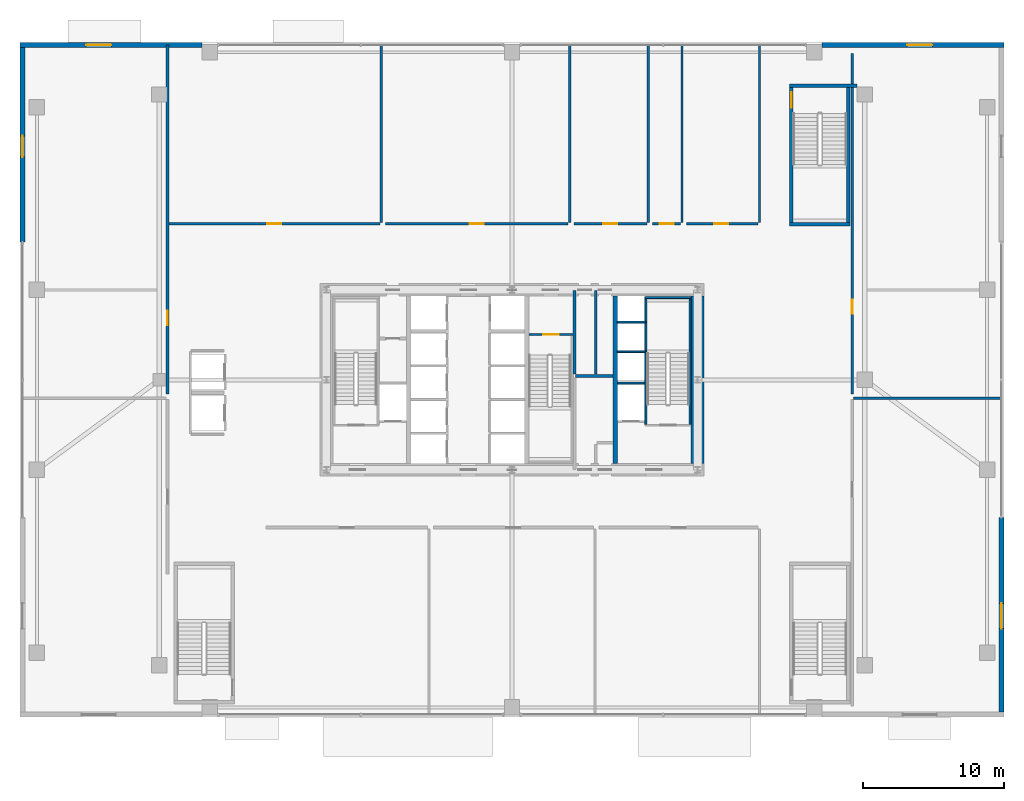
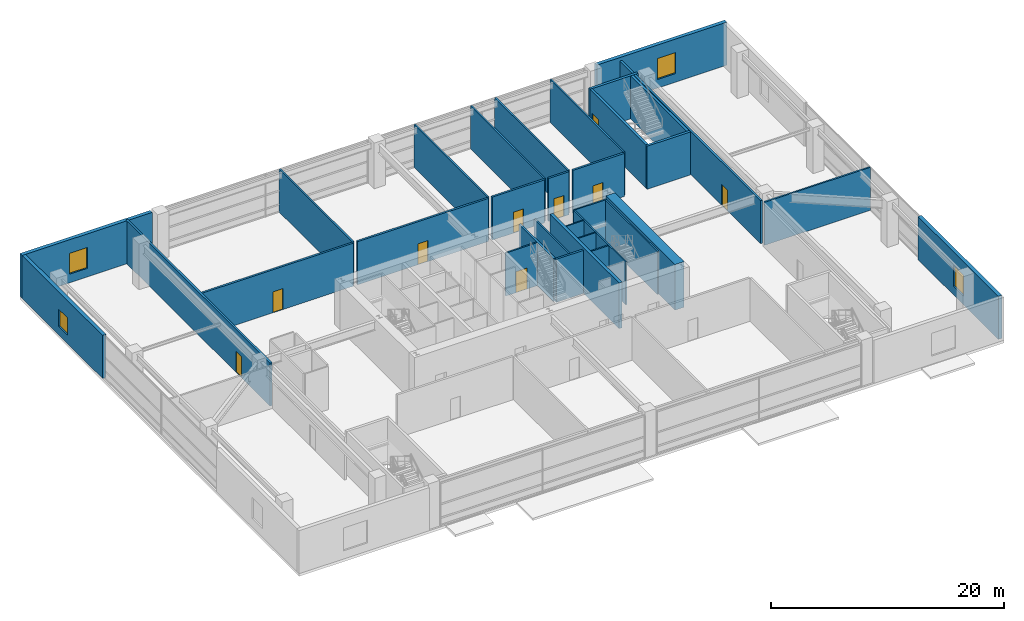
# One storey, part 33 of 37: 33 walls, 9 doors, 4 windows, 13 openings.
"""IFC4 building model written with IfcOpenShell, lengths in metres."""

from ifc_helpers import new_model, si_unit, direction, frame, frame_2d, origin, place, context, subcontext, project, spatial, rectangle, extrude, source, transform, mapped, material, layer, layer_set, type_object, element, fill, save


model = new_model("IFC4")

# Units and contexts
model_context = context("Model", 3, precision=1e-05, world=origin(), true_north=direction((0.0, 1.0)))
body_context = subcontext(model_context, "Body", "Model", "MODEL_VIEW")
ifc_project = project(units=[si_unit("LENGTHUNIT", "METRE"), si_unit("AREAUNIT", "SQUARE_METRE"), si_unit("VOLUMEUNIT", "CUBIC_METRE"), si_unit("PLANEANGLEUNIT", "RADIAN"), si_unit("MASSUNIT", "GRAM", prefix="KILO"), si_unit("THERMODYNAMICTEMPERATUREUNIT", "KELVIN"), si_unit("POWERUNIT", "WATT")], contexts=[model_context])

# Site, building, storey
site_placement = place(None, origin())
site = spatial("IfcSite", under=ifc_project, at=site_placement, CompositionType="ELEMENT")
building_placement = place(site_placement, origin())
building = spatial("IfcBuilding", under=site, at=building_placement, Name="Yuzanri Waterfront Tower", CompositionType="ELEMENT")
storey_placement = place(building_placement, frame((0.0, 0.0, 5.39990234375)))
storey = spatial("IfcBuildingStorey", under=building, at=storey_placement, Name="L02", CompositionType="ELEMENT", Elevation=5.39990234375)

# Wall, opening, door
ifc_material_1 = material(Name="Concrete C40", Category="concrete")
ifc_layer_1 = layer(ifc_material_1, 0.139892578125)
ifc_layer_set_1 = layer_set([ifc_layer_1], Name="Concrete C40")
wall_type_1 = type_object("IfcWallType", Name="Core Stair Liner and Hoistway Shaft Wall 140", PredefinedType="SOLIDWALL", material=ifc_layer_set_1)
wall_1_placement = place(storey_placement, frame((38.199951171875, 29.030029296875, 0.0), z_axis=(0.0, 0.0, 1.0), x_axis=(1.0, 0.0, 0.0)))
wall_1 = element("IfcWall", 1, at=wall_1_placement, inside=storey, type_object=wall_type_1, Name="L02 Shaft Wall STW-L02-ST-03-N", PredefinedType="SOLIDWALL", context=body_context, shape_type="SweptSolid", body=[
    extrude(rectangle(XDim=3.14013671875, YDim=0.139892578125, at=frame_2d((1.570068359375, 0.0))), origin(), (0.0, 0.0, 1.0), 4.52001953125),
])
opening_1_placement = place(wall_1_placement, frame((1.02001953125, 0.0, 0.0)))
opening_1 = element("IfcOpeningElement", 2, at=opening_1_placement, cuts=wall_1, Name="Opening FD-1100", PredefinedType="OPENING", context=body_context, shape_type="SweptSolid", body=[
    extrude(rectangle(XDim=1.10009765625, YDim=2.199951171875, at=frame_2d((0.550048828125, 1.10009765625))), frame((0.0, 0.0849609375, 0.0), z_axis=(0.0, -1.0, 0.0), x_axis=(1.0, 0.0, 0.0)), (0.0, 0.0, 1.0), 0.169677734375),
])
ifc_material_2 = material(Name="Painted Galvanized Fire Steel", Category="steel")
door_type_1 = type_object("IfcDoorType", Name="Smoke-Proof Stair and Lobby Fire Door 1100x2200", OperationType="NOTDEFINED", PredefinedType="DOOR", material=ifc_material_2)
shared_shape_1 = source(origin(), body_context, "Body", "SweptSolid", [
    extrude(rectangle(XDim=1.10009765625, YDim=2.199951171875, at=frame_2d((0.550048828125, 1.10009765625))), frame((0.0, 0.02490234375, 0.0), z_axis=(0.0, -1.0, 0.0), x_axis=(1.0, 0.0, 0.0)), (0.0, 0.0, 1.0), 0.050048828125),
])
door_1_placement = place(opening_1_placement, origin())
door_1 = element("IfcDoor", 3, at=door_1_placement, inside=storey, type_object=door_type_1, Name="L02 Stair ST-03 Fire Door", OperationType="SINGLE_SWING_LEFT", OverallHeight=2.199951171875, OverallWidth=1.10009765625, PredefinedType="DOOR", context=body_context, shape_type="MappedRepresentation", body=[
    mapped(shared_shape_1, transform((0.0, 0.0, 0.0), scale=1.0)),
])
fill(opening_1, door_1)

ifc_material_3 = material(Name="Autoclaved Aerated Concrete Blockwork", Category="masonry")
ifc_layer_2 = layer(ifc_material_3, 0.199951171875)
ifc_layer_set_2 = layer_set([ifc_layer_2], Name="Autoclaved Aerated Concrete Blockwork")
wall_type_2 = type_object("IfcWallType", Name="Corridor and Unit Party Fire Wall 200", PredefinedType="PARTITIONING", material=ifc_layer_set_2)
wall_2_placement = place(storey_placement, frame((12.5, 24.800048828125, 0.0), z_axis=(0.0, 0.0, 1.0), x_axis=(0.0, 1.0, 0.0)))
wall_2 = element("IfcWall", 4, at=wall_2_placement, inside=storey, type_object=wall_type_2, Name="L02 Partition PRW-L02-028-E", PredefinedType="PARTITIONING", context=body_context, shape_type="SweptSolid", body=[
    extrude(rectangle(XDim=24.820068359375, YDim=0.199951171875, at=frame_2d((12.41015625, 0.0))), origin(), (0.0, 0.0, 1.0), 4.52001953125),
])
opening_2_placement = place(wall_2_placement, frame((4.89990234375, 0.0, 0.0)))
opening_2 = element("IfcOpeningElement", 5, at=opening_2_placement, cuts=wall_2, Name="Opening FD-1000", PredefinedType="OPENING", context=body_context, shape_type="SweptSolid", body=[
    extrude(rectangle(XDim=1.0, YDim=2.199951171875, at=frame_2d((0.5, 1.10009765625))), frame((0.0, 0.11474609375, 0.0), z_axis=(0.0, -1.0, 0.0), x_axis=(1.0, 0.0, 0.0)), (0.0, 0.0, 1.0), 0.229736328125),
])
ifc_material_4 = material(Name="Engineered Oak Fire-Rated Timber", Category="wood")
door_type_2 = type_object("IfcDoorType", Name="Guestroom and Apartment Entrance Fire Door 1000x2200", OperationType="NOTDEFINED", PredefinedType="DOOR", material=ifc_material_4)
shared_shape_2 = source(origin(), body_context, "Body", "SweptSolid", [
    extrude(rectangle(XDim=1.0, YDim=2.199951171875, at=frame_2d((0.5, 1.10009765625))), frame((0.0, 0.02490234375, 0.0), z_axis=(0.0, -1.0, 0.0), x_axis=(1.0, 0.0, 0.0)), (0.0, 0.0, 1.0), 0.050048828125),
])
door_2_placement = place(opening_2_placement, origin())
door_2 = element("IfcDoor", 6, at=door_2_placement, inside=storey, type_object=door_type_2, Name="L02 West Riverview Lifestyle Shop", OperationType="SINGLE_SWING_LEFT", OverallHeight=2.199951171875, OverallWidth=1.0, PredefinedType="DOOR", context=body_context, shape_type="MappedRepresentation", body=[
    mapped(shared_shape_2, transform((0.0, 0.0, 0.0), scale=1.0)),
])
fill(opening_2, door_2)

wall_3_placement = place(storey_placement, frame((61.199951171875, 24.800048828125, 0.0), z_axis=(0.0, 0.0, 1.0), x_axis=(0.0, 1.0, 0.0)))
wall_3 = element("IfcWall", 7, at=wall_3_placement, inside=storey, type_object=wall_type_2, Name="L02 Partition PRW-L02-033-W", PredefinedType="PARTITIONING", context=body_context, shape_type="SweptSolid", body=[
    extrude(rectangle(XDim=24.199951171875, YDim=0.199951171875, at=frame_2d((12.10009765625, 0.0))), origin(), (0.0, 0.0, 1.0), 4.52001953125),
])
opening_3_placement = place(wall_3_placement, frame((5.699951171875, 0.0, 0.0)))
opening_3 = element("IfcOpeningElement", 8, at=opening_3_placement, cuts=wall_3, Name="Opening FD-1000", PredefinedType="OPENING", context=body_context, shape_type="SweptSolid", body=[
    extrude(rectangle(XDim=1.0, YDim=2.199951171875, at=frame_2d((0.5, 1.10009765625))), frame((0.0, 0.11474609375, 0.0), z_axis=(0.0, -1.0, 0.0), x_axis=(1.0, 0.0, 0.0)), (0.0, 0.0, 1.0), 0.229736328125),
])
door_3_placement = place(opening_3_placement, origin())
door_3 = element("IfcDoor", 9, at=door_3_placement, inside=storey, type_object=door_type_2, Name="L02 East Silk and Couture Salon", OperationType="SINGLE_SWING_RIGHT", OverallHeight=2.199951171875, OverallWidth=1.0, PredefinedType="DOOR", context=body_context, shape_type="MappedRepresentation", body=[
    mapped(shared_shape_2, transform((0.0, 0.0, 0.0), scale=1.0)),
])
fill(opening_3, door_3)

wall_4_placement = place(storey_placement, frame((12.60009765625, 36.89990234375, 0.0), z_axis=(0.0, 0.0, 1.0), x_axis=(1.0, 0.0, 0.0)))
wall_4 = element("IfcWall", 10, at=wall_4_placement, inside=storey, type_object=wall_type_2, Name="L02 Partition PRW-L02-034-S", PredefinedType="PARTITIONING", context=body_context, shape_type="SweptSolid", body=[
    extrude(rectangle(XDim=15.0, YDim=0.199951171875, at=frame_2d((7.5, 0.0))), origin(), (0.0, 0.0, 1.0), 4.52001953125),
])
opening_4_placement = place(wall_4_placement, frame((7.0, 0.0, 0.0)))
opening_4 = element("IfcOpeningElement", 11, at=opening_4_placement, cuts=wall_4, Name="Opening FD-1000", PredefinedType="OPENING", context=body_context, shape_type="SweptSolid", body=[
    extrude(rectangle(XDim=1.0, YDim=2.199951171875, at=frame_2d((0.5, 1.10009765625))), frame((0.0, 0.11474609375, 0.0), z_axis=(0.0, -1.0, 0.0), x_axis=(1.0, 0.0, 0.0)), (0.0, 0.0, 1.0), 0.229736328125),
])
door_4_placement = place(opening_4_placement, origin())
door_4 = element("IfcDoor", 12, at=door_4_placement, inside=storey, type_object=door_type_2, Name="L02 Artisan Tea Salon", OperationType="SINGLE_SWING_LEFT", OverallHeight=2.199951171875, OverallWidth=1.0, PredefinedType="DOOR", context=body_context, shape_type="MappedRepresentation", body=[
    mapped(shared_shape_2, transform((0.0, 0.0, 0.0), scale=1.0)),
])
fill(opening_4, door_4)

wall_5_placement = place(storey_placement, frame((28.0, 36.89990234375, 0.0), z_axis=(0.0, 0.0, 1.0), x_axis=(1.0, 0.0, 0.0)))
wall_5 = element("IfcWall", 13, at=wall_5_placement, inside=storey, type_object=wall_type_2, Name="L02 Partition PRW-L02-035-S", PredefinedType="PARTITIONING", context=body_context, shape_type="SweptSolid", body=[
    extrude(rectangle(XDim=13.0, YDim=0.199951171875, at=frame_2d((6.5, 0.0))), origin(), (0.0, 0.0, 1.0), 4.52001953125),
])
opening_5_placement = place(wall_5_placement, frame((6.0, 0.0, 0.0)))
opening_5 = element("IfcOpeningElement", 14, at=opening_5_placement, cuts=wall_5, Name="Opening FD-1000", PredefinedType="OPENING", context=body_context, shape_type="SweptSolid", body=[
    extrude(rectangle(XDim=1.0, YDim=2.199951171875, at=frame_2d((0.5, 1.10009765625))), frame((0.0, 0.11474609375, 0.0), z_axis=(0.0, -1.0, 0.0), x_axis=(1.0, 0.0, 0.0)), (0.0, 0.0, 1.0), 0.229736328125),
])
door_5_placement = place(opening_5_placement, origin())
door_5 = element("IfcDoor", 15, at=door_5_placement, inside=storey, type_object=door_type_2, Name="L02 Craft Leather Goods Shop", OperationType="SINGLE_SWING_RIGHT", OverallHeight=2.199951171875, OverallWidth=1.0, PredefinedType="DOOR", context=body_context, shape_type="MappedRepresentation", body=[
    mapped(shared_shape_2, transform((0.0, 0.0, 0.0), scale=1.0)),
])
fill(opening_5, door_5)

wall_6_placement = place(storey_placement, frame((41.39990234375, 36.89990234375, 0.0), z_axis=(0.0, 0.0, 1.0), x_axis=(1.0, 0.0, 0.0)))
wall_6 = element("IfcWall", 16, at=wall_6_placement, inside=storey, type_object=wall_type_2, Name="L02 Partition PRW-L02-036-S", PredefinedType="PARTITIONING", context=body_context, shape_type="SweptSolid", body=[
    extrude(rectangle(XDim=5.2001953125, YDim=0.199951171875, at=frame_2d((2.60009765625, 0.0))), origin(), (0.0, 0.0, 1.0), 4.52001953125),
])
opening_6_placement = place(wall_6_placement, frame((2.10009765625, 0.0, 0.0)))
opening_6 = element("IfcOpeningElement", 17, at=opening_6_placement, cuts=wall_6, Name="Opening FD-1000", PredefinedType="OPENING", context=body_context, shape_type="SweptSolid", body=[
    extrude(rectangle(XDim=1.0, YDim=2.199951171875, at=frame_2d((0.5, 1.10009765625))), frame((0.0, 0.11474609375, 0.0), z_axis=(0.0, -1.0, 0.0), x_axis=(1.0, 0.0, 0.0)), (0.0, 0.0, 1.0), 0.229736328125),
])
door_6_placement = place(opening_6_placement, origin())
door_6 = element("IfcDoor", 18, at=door_6_placement, inside=storey, type_object=door_type_2, Name="L02 Public Restroom", OperationType="SINGLE_SWING_LEFT", OverallHeight=2.199951171875, OverallWidth=1.0, PredefinedType="DOOR", context=body_context, shape_type="MappedRepresentation", body=[
    mapped(shared_shape_2, transform((0.0, 0.0, 0.0), scale=1.0)),
])
fill(opening_6, door_6)

wall_7_placement = place(storey_placement, frame((47.0, 36.89990234375, 0.0), z_axis=(0.0, 0.0, 1.0), x_axis=(1.0, 0.0, 0.0)))
wall_7 = element("IfcWall", 19, at=wall_7_placement, inside=storey, type_object=wall_type_2, Name="L02 Partition PRW-L02-037-S", PredefinedType="PARTITIONING", context=body_context, shape_type="SweptSolid", body=[
    extrude(rectangle(XDim=2.0, YDim=0.199951171875, at=frame_2d((1.0, 0.0))), origin(), (0.0, 0.0, 1.0), 4.52001953125),
])
opening_7_placement = place(wall_7_placement, frame((0.5, 0.0, 0.0)))
opening_7 = element("IfcOpeningElement", 20, at=opening_7_placement, cuts=wall_7, Name="Opening FD-1000", PredefinedType="OPENING", context=body_context, shape_type="SweptSolid", body=[
    extrude(rectangle(XDim=1.0, YDim=2.199951171875, at=frame_2d((0.5, 1.10009765625))), frame((0.0, 0.11474609375, 0.0), z_axis=(0.0, -1.0, 0.0), x_axis=(1.0, 0.0, 0.0)), (0.0, 0.0, 1.0), 0.229736328125),
])
door_7_placement = place(opening_7_placement, origin())
door_7 = element("IfcDoor", 21, at=door_7_placement, inside=storey, type_object=door_type_2, Name="L02 Accessible WC", OperationType="SINGLE_SWING_RIGHT", OverallHeight=2.199951171875, OverallWidth=1.0, PredefinedType="DOOR", context=body_context, shape_type="MappedRepresentation", body=[
    mapped(shared_shape_2, transform((0.0, 0.0, 0.0), scale=1.0)),
])
fill(opening_7, door_7)

wall_8_placement = place(storey_placement, frame((49.39990234375, 36.89990234375, 0.0), z_axis=(0.0, 0.0, 1.0), x_axis=(1.0, 0.0, 0.0)))
wall_8 = element("IfcWall", 22, at=wall_8_placement, inside=storey, type_object=wall_type_2, Name="L02 Partition PRW-L02-038-S", PredefinedType="PARTITIONING", context=body_context, shape_type="SweptSolid", body=[
    extrude(rectangle(XDim=5.10009765625, YDim=0.199951171875, at=frame_2d((2.550048828125, 0.0))), origin(), (0.0, 0.0, 1.0), 4.52001953125),
])
opening_8_placement = place(wall_8_placement, frame((2.0, 0.0, 0.0)))
opening_8 = element("IfcOpeningElement", 23, at=opening_8_placement, cuts=wall_8, Name="Opening FD-1000", PredefinedType="OPENING", context=body_context, shape_type="SweptSolid", body=[
    extrude(rectangle(XDim=1.0, YDim=2.199951171875, at=frame_2d((0.5, 1.10009765625))), frame((0.0, 0.11474609375, 0.0), z_axis=(0.0, -1.0, 0.0), x_axis=(1.0, 0.0, 0.0)), (0.0, 0.0, 1.0), 0.229736328125),
])
door_8_placement = place(opening_8_placement, origin())
door_8 = element("IfcDoor", 24, at=door_8_placement, inside=storey, type_object=door_type_2, Name="L02 Retail Stock Store", OperationType="SINGLE_SWING_LEFT", OverallHeight=2.199951171875, OverallWidth=1.0, PredefinedType="DOOR", context=body_context, shape_type="MappedRepresentation", body=[
    mapped(shared_shape_2, transform((0.0, 0.0, 0.0), scale=1.0)),
])
fill(opening_8, door_8)

# Wall, opening, window
ifc_material_5 = material(Name="Honed Chongqing Dark Basalt Stone", Category="masonry")
ifc_layer_3 = layer(ifc_material_5, 0.360107421875)
ifc_layer_set_3 = layer_set([ifc_layer_3], Name="Honed Chongqing Dark Basalt Stone")
wall_type_3 = type_object("IfcWallType", Name="Honed Basalt Stone Masonry-Frame Spandrel Wall 360", PredefinedType="SOLIDWALL", material=ifc_layer_set_3)
wall_9_placement = place(storey_placement, frame((2.0, 49.6201171875, 0.0), z_axis=(0.0, 0.0, 1.0), x_axis=(1.0, 0.0, 0.0)))
wall_9 = element("IfcWall", 25, at=wall_9_placement, inside=storey, type_object=wall_type_3, Name="L02 North-West Basalt Wall", PredefinedType="SOLIDWALL", context=body_context, shape_type="SweptSolid", body=[
    extrude(rectangle(XDim=12.929931640625, YDim=0.360107421875, at=frame_2d((6.46484375, 0.0))), origin(), (0.0, 0.0, 1.0), 4.52001953125),
])
opening_9_placement = place(wall_9_placement, frame((4.699951171875, 0.0, 0.89990234375)))
opening_9 = element("IfcOpeningElement", 26, at=opening_9_placement, cuts=wall_9, Name="Opening WN-01", PredefinedType="OPENING", context=body_context, shape_type="SweptSolid", body=[
    extrude(rectangle(XDim=1.800048828125, YDim=2.199951171875, at=frame_2d((0.89990234375, 1.10009765625))), frame((0.0, 0.19482421875, 0.0), z_axis=(0.0, -1.0, 0.0), x_axis=(1.0, 0.0, 0.0)), (0.0, 0.0, 1.0), 0.389892578125),
])
ifc_material_6 = material(Name="Double-Silver Low-E Insulated Glass", Category="glass")
window_type_1 = type_object("IfcWindowType", Name="Anodized Bronze Recessed Bronze Frame Double Casement Window 1800x2200", PartitioningType="SINGLE_PANEL", PredefinedType="WINDOW", material=ifc_material_6)
shared_shape_3 = source(origin(), body_context, "Body", "SweptSolid", [
    extrude(rectangle(XDim=1.800048828125, YDim=2.199951171875, at=frame_2d((0.89990234375, 1.10009765625))), frame((0.0, 0.030029296875, 0.0), z_axis=(0.0, -1.0, 0.0), x_axis=(1.0, 0.0, 0.0)), (0.0, 0.0, 1.0), 0.06005859375),
])
window_1_placement = place(opening_9_placement, origin())
window_1 = element("IfcWindow", 27, at=window_1_placement, inside=storey, type_object=window_type_1, Name="L02 NW Casement Window", OverallHeight=2.199951171875, OverallWidth=1.800048828125, PartitioningType="SINGLE_PANEL", PredefinedType="WINDOW", context=body_context, shape_type="MappedRepresentation", body=[
    mapped(shared_shape_3, transform((0.0, 0.0, 0.0), scale=1.0)),
])
fill(opening_9, window_1)

wall_10_placement = place(storey_placement, frame((59.070068359375, 49.6201171875, 0.0), z_axis=(0.0, 0.0, 1.0), x_axis=(1.0, 0.0, 0.0)))
wall_10 = element("IfcWall", 28, at=wall_10_placement, inside=storey, type_object=wall_type_3, Name="L02 North-East Basalt Wall", PredefinedType="SOLIDWALL", context=body_context, shape_type="SweptSolid", body=[
    extrude(rectangle(XDim=12.929931640625, YDim=0.360107421875, at=frame_2d((6.46484375, 0.0))), origin(), (0.0, 0.0, 1.0), 4.52001953125),
])
opening_10_placement = place(wall_10_placement, frame((6.030029296875, 0.0, 0.89990234375)))
opening_10 = element("IfcOpeningElement", 29, at=opening_10_placement, cuts=wall_10, Name="Opening WN-01", PredefinedType="OPENING", context=body_context, shape_type="SweptSolid", body=[
    extrude(rectangle(XDim=1.800048828125, YDim=2.199951171875, at=frame_2d((0.89990234375, 1.10009765625))), frame((0.0, 0.19482421875, 0.0), z_axis=(0.0, -1.0, 0.0), x_axis=(1.0, 0.0, 0.0)), (0.0, 0.0, 1.0), 0.389892578125),
])
window_2_placement = place(opening_10_placement, origin())
window_2 = element("IfcWindow", 30, at=window_2_placement, inside=storey, type_object=window_type_1, Name="L02 NE Casement Window", OverallHeight=2.199951171875, OverallWidth=1.800048828125, PartitioningType="SINGLE_PANEL", PredefinedType="WINDOW", context=body_context, shape_type="MappedRepresentation", body=[
    mapped(shared_shape_3, transform((0.0, 0.0, 0.0), scale=1.0)),
])
fill(opening_10, window_2)

wall_11_placement = place(storey_placement, frame((2.179931640625, 35.60009765625, 0.0), z_axis=(0.0, 0.0, 1.0), x_axis=(0.0, 1.0, 0.0)))
wall_11 = element("IfcWall", 31, at=wall_11_placement, inside=storey, type_object=wall_type_3, Name="L02 W North Basalt Pier", PredefinedType="SOLIDWALL", context=body_context, shape_type="SweptSolid", body=[
    extrude(rectangle(XDim=13.83984375, YDim=0.360107421875, at=frame_2d((6.919921875, 0.0))), origin(), (0.0, 0.0, 1.0), 4.52001953125),
])
opening_11_placement = place(wall_11_placement, frame((6.050048828125, 0.0, 0.89990234375)))
opening_11 = element("IfcOpeningElement", 32, at=opening_11_placement, cuts=wall_11, Name="Opening WN-04", PredefinedType="OPENING", context=body_context, shape_type="SweptSolid", body=[
    extrude(rectangle(XDim=1.5, YDim=1.800048828125, at=frame_2d((0.75, 0.89990234375))), frame((0.0, 0.19482421875, 0.0), z_axis=(0.0, -1.0, 0.0), x_axis=(1.0, 0.0, 0.0)), (0.0, 0.0, 1.0), 0.389892578125),
])
ifc_material_7 = material(Name="Double-Silver Low-E Insulated Glass", Category="glass")
window_type_2 = type_object("IfcWindowType", Name="Anodized Bronze Suite Operable Tilt-Turn Window 1500x1800", PartitioningType="SINGLE_PANEL", PredefinedType="WINDOW", material=ifc_material_7)
shared_shape_4 = source(origin(), body_context, "Body", "SweptSolid", [
    extrude(rectangle(XDim=1.5, YDim=1.800048828125, at=frame_2d((0.75, 0.89990234375))), frame((0.0, 0.030029296875, 0.0), z_axis=(0.0, -1.0, 0.0), x_axis=(1.0, 0.0, 0.0)), (0.0, 0.0, 1.0), 0.06005859375),
])
window_3_placement = place(opening_11_placement, origin())
window_3 = element("IfcWindow", 33, at=window_3_placement, inside=storey, type_object=window_type_2, Name="L02 WN Window", OverallHeight=1.800048828125, OverallWidth=1.5, PartitioningType="SINGLE_PANEL", PredefinedType="WINDOW", context=body_context, shape_type="MappedRepresentation", body=[
    mapped(shared_shape_4, transform((0.0, 0.0, 0.0), scale=1.0)),
])
fill(opening_11, window_3)

wall_12_placement = place(storey_placement, frame((71.820068359375, 2.159912109375, 0.0), z_axis=(0.0, 0.0, 1.0), x_axis=(0.0, 1.0, 0.0)))
wall_12 = element("IfcWall", 34, at=wall_12_placement, inside=storey, type_object=wall_type_3, Name="L02 E South Basalt Pier", PredefinedType="SOLIDWALL", context=body_context, shape_type="SweptSolid", body=[
    extrude(rectangle(XDim=13.840087890625, YDim=0.360107421875, at=frame_2d((6.919921875, 0.0))), origin(), (0.0, 0.0, 1.0), 4.52001953125),
])
opening_12_placement = place(wall_12_placement, frame((5.93994140625, 0.0, 0.89990234375)))
opening_12 = element("IfcOpeningElement", 35, at=opening_12_placement, cuts=wall_12, Name="Opening WN-01", PredefinedType="OPENING", context=body_context, shape_type="SweptSolid", body=[
    extrude(rectangle(XDim=1.800048828125, YDim=2.199951171875, at=frame_2d((0.89990234375, 1.10009765625))), frame((0.0, 0.19482421875, 0.0), z_axis=(0.0, -1.0, 0.0), x_axis=(1.0, 0.0, 0.0)), (0.0, 0.0, 1.0), 0.389892578125),
])
window_4_placement = place(opening_12_placement, origin())
window_4 = element("IfcWindow", 36, at=window_4_placement, inside=storey, type_object=window_type_1, Name="L02 ES Window", OverallHeight=2.199951171875, OverallWidth=1.800048828125, PartitioningType="SINGLE_PANEL", PredefinedType="WINDOW", context=body_context, shape_type="MappedRepresentation", body=[
    mapped(shared_shape_3, transform((0.0, 0.0, 0.0), scale=1.0)),
])
fill(opening_12, window_4)

# Wall, opening, door
ifc_material_8 = material(Name="Concrete C40", Category="concrete")
ifc_layer_4 = layer(ifc_material_8, 0.25)
ifc_layer_set_4 = layer_set([ifc_layer_4], Name="Concrete C40")
wall_type_4 = type_object("IfcWallType", Name="Smoke-Proof Stair and Lift Shaft Wall 250", PredefinedType="SOLIDWALL", material=ifc_layer_set_4)
wall_13_placement = place(storey_placement, frame((56.875, 37.0, 0.0), z_axis=(0.0, 0.0, 1.0), x_axis=(0.0, 1.0, 0.0)))
wall_13 = element("IfcWall", 37, at=wall_13_placement, inside=storey, type_object=wall_type_4, Name="L02 Shaft Wall PSTW-L02-PST-03-W", PredefinedType="SOLIDWALL", context=body_context, shape_type="SweptSolid", body=[
    extrude(rectangle(XDim=9.60009765625, YDim=0.25, at=frame_2d((4.800048828125, 0.0))), origin(), (0.0, 0.0, 1.0), 4.52001953125),
])
opening_13_placement = place(wall_13_placement, frame((8.14990234375, 0.0, 0.0)))
opening_13 = element("IfcOpeningElement", 38, at=opening_13_placement, cuts=wall_13, Name="Opening FD-1100", PredefinedType="OPENING", context=body_context, shape_type="SweptSolid", body=[
    extrude(rectangle(XDim=1.10009765625, YDim=2.199951171875, at=frame_2d((0.550048828125, 1.10009765625))), frame((0.0, 0.139892578125, 0.0), z_axis=(0.0, -1.0, 0.0), x_axis=(1.0, 0.0, 0.0)), (0.0, 0.0, 1.0), 0.27978515625),
])
door_9_placement = place(opening_13_placement, origin())
door_9 = element("IfcDoor", 39, at=door_9_placement, inside=storey, type_object=door_type_1, Name="L02 PST-03 Stair Door", OperationType="SINGLE_SWING_RIGHT", OverallHeight=2.199951171875, OverallWidth=1.10009765625, PredefinedType="DOOR", context=body_context, shape_type="MappedRepresentation", body=[
    mapped(shared_shape_1, transform((0.0, 0.0, 0.0), scale=1.0)),
])
fill(opening_13, door_9)

# Walls
ifc_material_9 = material(Name="Concrete C60", Category="concrete")
ifc_layer_5 = layer(ifc_material_9, 0.89990234375)
ifc_layer_set_5 = layer_set([ifc_layer_5], Name="Concrete C60")
wall_type_5 = type_object("IfcWallType", Name="Concrete C60 Lower Zone Core Shear Wall 900", PredefinedType="SHEAR", material=ifc_layer_set_5)
shared_shape_5 = source(origin(), body_context, "Body", "SweptSolid", [
    extrude(rectangle(XDim=11.89990234375, YDim=0.89990234375, at=frame_2d((5.949951171875, 0.0))), origin(), (0.0, 0.0, 1.0), 4.800048828125),
])
wall_14_placement = place(storey_placement, frame((50.199951171875, 19.85009765625, 0.0), z_axis=(0.0, 0.0, 1.0), x_axis=(0.0, 1.0, 0.0)))
element("IfcWall", 40, at=wall_14_placement, inside=storey, type_object=wall_type_5, Name="L02 Core East Shear Wall", PredefinedType="SHEAR", context=body_context, shape_type="MappedRepresentation", body=[
    mapped(shared_shape_5, transform((0.0, 0.0, 0.0), scale=1.0)),
])
ifc_material_10 = material(Name="Concrete C50", Category="concrete")
ifc_layer_6 = layer(ifc_material_10, 0.300048828125)
ifc_layer_set_6 = layer_set([ifc_layer_6], Name="Concrete C50")
wall_type_6 = type_object("IfcWallType", Name="Concrete C50 Internal Core Shaft Structural Wall 300", PredefinedType="SOLIDWALL", material=ifc_layer_set_6)
shared_shape_6 = source(origin(), body_context, "Body", "SweptSolid", [
    extrude(rectangle(XDim=11.89990234375, YDim=0.300048828125, at=frame_2d((5.949951171875, 0.0))), origin(), (0.0, 0.0, 1.0), 4.800048828125),
])
wall_15_placement = place(storey_placement, frame((44.35009765625, 19.85009765625, 0.0), z_axis=(0.0, 0.0, 1.0), x_axis=(0.0, 1.0, 0.0)))
element("IfcWall", 41, at=wall_15_placement, inside=storey, type_object=wall_type_6, Name="L02 Core Internal Structural Web Wall 3", PredefinedType="SOLIDWALL", context=body_context, shape_type="MappedRepresentation", body=[
    mapped(shared_shape_6, transform((0.0, 0.0, 0.0), scale=1.0)),
])
shared_shape_7 = source(origin(), body_context, "Body", "SweptSolid", [
    extrude(rectangle(XDim=1.919921875, YDim=0.139892578125, at=frame_2d((0.9599609375, 0.0))), origin(), (0.0, 0.0, 1.0), 4.52001953125),
])
wall_16_placement = place(storey_placement, frame((44.52001953125, 25.570068359375, 0.0), z_axis=(0.0, 0.0, 1.0), x_axis=(1.0, 0.0, 0.0)))
element("IfcWall", 42, at=wall_16_placement, inside=storey, type_object=wall_type_1, Name="L02 Lift FL-02 Back Shaft Wall", PredefinedType="SOLIDWALL", context=body_context, shape_type="MappedRepresentation", body=[
    mapped(shared_shape_7, transform((0.0, 0.0, 0.0), scale=1.0)),
])
shared_shape_8 = source(origin(), body_context, "Body", "SweptSolid", [
    extrude(rectangle(XDim=2.0, YDim=0.139892578125, at=frame_2d((1.0, 0.0))), origin(), (0.0, 0.0, 1.0), 4.52001953125),
])
for number, where, z_axis, x_axis, name in (
    (43, (44.5, 27.800048828125, 0.0), (0.0, 0.0, 1.0), (1.0, 0.0, 0.0), "L02 Lift PL-09 Divider Wall"),
    (44, (44.5, 29.89990234375, 0.0), (0.0, 0.0, 1.0), (1.0, 0.0, 0.0), "L02 Lift PL-10 Divider Wall"),
):
    element("IfcWall", number, at=place(storey_placement, frame(where, z_axis=z_axis, x_axis=x_axis)), inside=storey, type_object=wall_type_1, Name=name, PredefinedType="SOLIDWALL", context=body_context, shape_type="MappedRepresentation", body=[
        mapped(shared_shape_8, transform((0.0, 0.0, 0.0), scale=1.0)),
    ])
shared_shape_9 = source(origin(), body_context, "Body", "SweptSolid", [
    extrude(rectangle(XDim=3.280029296875, YDim=0.139892578125, at=frame_2d((1.64013671875, 0.0))), origin(), (0.0, 0.0, 1.0), 4.52001953125),
])
wall_17_placement = place(storey_placement, frame((46.4599609375, 31.64990234375, 0.0), z_axis=(0.0, 0.0, 1.0), x_axis=(1.0, 0.0, 0.0)))
element("IfcWall", 45, at=wall_17_placement, inside=storey, type_object=wall_type_1, Name="L02 Stair ST-02 North Shaft Wall", PredefinedType="SOLIDWALL", context=body_context, shape_type="MappedRepresentation", body=[
    mapped(shared_shape_9, transform((0.0, 0.0, 0.0), scale=1.0)),
])
shared_shape_10 = source(origin(), body_context, "Body", "SweptSolid", [
    extrude(rectangle(XDim=8.940185546875, YDim=0.139892578125, at=frame_2d((4.47021484375, 0.0))), origin(), (0.0, 0.0, 1.0), 4.52001953125),
])
for number, where, z_axis, x_axis, name in (
    (46, (46.530029296875, 22.639892578125, 0.0), (0.0, 0.0, 1.0), (0.0, 1.0, 0.0), "L02 Stair ST-02 West Shaft Wall"),
    (47, (49.669921875, 22.639892578125, 0.0), (0.0, 0.0, 1.0), (0.0, 1.0, 0.0), "L02 Stair ST-02 East Shaft Wall"),
):
    element("IfcWall", number, at=place(storey_placement, frame(where, z_axis=z_axis, x_axis=x_axis)), inside=storey, type_object=wall_type_1, Name=name, PredefinedType="SOLIDWALL", context=body_context, shape_type="MappedRepresentation", body=[
        mapped(shared_shape_10, transform((0.0, 0.0, 0.0), scale=1.0)),
    ])
shared_shape_11 = source(origin(), body_context, "Body", "SweptSolid", [
    extrude(rectangle(XDim=4.300048828125, YDim=0.25, at=frame_2d((2.14990234375, 0.0))), origin(), (0.0, 0.0, 1.0), 4.52001953125),
])
wall_18_placement = place(storey_placement, frame((56.75, 36.875, 0.0), z_axis=(0.0, 0.0, 1.0), x_axis=(1.0, 0.0, 0.0)))
element("IfcWall", 48, at=wall_18_placement, inside=storey, type_object=wall_type_4, Name="L02 PST-03 South Wall", PredefinedType="SOLIDWALL", context=body_context, shape_type="MappedRepresentation", body=[
    mapped(shared_shape_11, transform((0.0, 0.0, 0.0), scale=1.0)),
])
shared_shape_12 = source(origin(), body_context, "Body", "SweptSolid", [
    extrude(rectangle(XDim=9.60009765625, YDim=0.25, at=frame_2d((4.800048828125, 0.0))), origin(), (0.0, 0.0, 1.0), 4.52001953125),
])
wall_19_placement = place(storey_placement, frame((60.925048828125, 37.0, 0.0), z_axis=(0.0, 0.0, 1.0), x_axis=(0.0, 1.0, 0.0)))
element("IfcWall", 49, at=wall_19_placement, inside=storey, type_object=wall_type_4, Name="L02 Shaft Wall PSTW-L02-PST-03-E", PredefinedType="SOLIDWALL", context=body_context, shape_type="MappedRepresentation", body=[
    mapped(shared_shape_12, transform((0.0, 0.0, 0.0), scale=1.0)),
])
shared_shape_13 = source(origin(), body_context, "Body", "SweptSolid", [
    extrude(rectangle(XDim=4.800048828125, YDim=0.25, at=frame_2d((2.39990234375, 0.0))), origin(), (0.0, 0.0, 1.0), 4.52001953125),
])
wall_20_placement = place(storey_placement, frame((56.75, 46.72509765625, 0.0), z_axis=(0.0, 0.0, 1.0), x_axis=(1.0, 0.0, 0.0)))
element("IfcWall", 50, at=wall_20_placement, inside=storey, type_object=wall_type_4, Name="L02 PST-03 North Wall", PredefinedType="SOLIDWALL", context=body_context, shape_type="MappedRepresentation", body=[
    mapped(shared_shape_13, transform((0.0, 0.0, 0.0), scale=1.0)),
])
shared_shape_14 = source(origin(), body_context, "Body", "SweptSolid", [
    extrude(rectangle(XDim=2.699951171875, YDim=0.199951171875, at=frame_2d((1.35009765625, 0.0))), origin(), (0.0, 0.0, 1.0), 4.52001953125),
])
wall_21_placement = place(storey_placement, frame((41.5, 26.070068359375, 0.0), z_axis=(0.0, 0.0, 1.0), x_axis=(1.0, 0.0, 0.0)))
element("IfcWall", 51, at=wall_21_placement, inside=storey, type_object=wall_type_2, Name="L02 Core BOH Split Wall 1", PredefinedType="PARTITIONING", context=body_context, shape_type="MappedRepresentation", body=[
    mapped(shared_shape_14, transform((0.0, 0.0, 0.0), scale=1.0)),
])
shared_shape_15 = source(origin(), body_context, "Body", "SweptSolid", [
    extrude(rectangle(XDim=5.9599609375, YDim=0.199951171875, at=frame_2d((2.97998046875, 0.0))), origin(), (0.0, 0.0, 1.0), 4.52001953125),
])
wall_22_placement = place(storey_placement, frame((41.449951171875, 26.199951171875, 0.0), z_axis=(0.0, 0.0, 1.0), x_axis=(0.0, 1.0, 0.0)))
element("IfcWall", 52, at=wall_22_placement, inside=storey, type_object=wall_type_2, Name="L02 Core BOH West Wall 2", PredefinedType="PARTITIONING", context=body_context, shape_type="MappedRepresentation", body=[
    mapped(shared_shape_15, transform((0.0, 0.0, 0.0), scale=1.0)),
])
ifc_material_11 = material(Name="Gypsum Fireboard Acoustic Stud Wall", Category="gypsum")
ifc_layer_7 = layer(ifc_material_11, 0.159912109375)
ifc_layer_set_7 = layer_set([ifc_layer_7], Name="Gypsum Fireboard Acoustic Stud Wall")
wall_type_7 = type_object("IfcWallType", Name="Acoustic Suite Demising Partition 160", PredefinedType="PARTITIONING", material=ifc_layer_set_7)
shared_shape_16 = source(origin(), body_context, "Body", "SweptSolid", [
    extrude(rectangle(XDim=5.9599609375, YDim=0.159912109375, at=frame_2d((2.97998046875, 0.0))), origin(), (0.0, 0.0, 1.0), 4.52001953125),
])
wall_23_placement = place(storey_placement, frame((42.949951171875, 26.199951171875, 0.0), z_axis=(0.0, 0.0, 1.0), x_axis=(0.0, 1.0, 0.0)))
element("IfcWall", 53, at=wall_23_placement, inside=storey, type_object=wall_type_7, Name="L02 Core BOH Mid Wall 3", PredefinedType="PARTITIONING", context=body_context, shape_type="MappedRepresentation", body=[
    mapped(shared_shape_16, transform((0.0, 0.0, 0.0), scale=1.0)),
])
shared_shape_17 = source(origin(), body_context, "Body", "SweptSolid", [
    extrude(rectangle(XDim=10.52001953125, YDim=0.159912109375, at=frame_2d((5.260009765625, 0.0))), origin(), (0.0, 0.0, 1.0), 4.52001953125),
])
wall_24_placement = place(storey_placement, frame((61.300048828125, 24.5, 0.0), z_axis=(0.0, 0.0, 1.0), x_axis=(1.0, 0.0, 0.0)))
element("IfcWall", 54, at=wall_24_placement, inside=storey, type_object=wall_type_7, Name="L02-032 North Partition", PredefinedType="PARTITIONING", context=body_context, shape_type="MappedRepresentation", body=[
    mapped(shared_shape_17, transform((0.0, 0.0, 0.0), scale=1.0)),
])
shared_shape_18 = source(origin(), body_context, "Body", "SweptSolid", [
    extrude(rectangle(XDim=12.6201171875, YDim=0.159912109375, at=frame_2d((6.31005859375, 0.0))), origin(), (0.0, 0.0, 1.0), 4.52001953125),
])
for number, where, z_axis, x_axis, name in (
    (55, (27.699951171875, 37.0, 0.0), (0.0, 0.0, 1.0), (0.0, 1.0, 0.0), "L02-034 Demising Wall"),
    (56, (41.10009765625, 37.0, 0.0), (0.0, 0.0, 1.0), (0.0, 1.0, 0.0), "L02-035 Demising Wall"),
    (57, (46.699951171875, 37.0, 0.0), (0.0, 0.0, 1.0), (0.0, 1.0, 0.0), "L02-036 Demising Wall"),
    (58, (49.10009765625, 37.0, 0.0), (0.0, 0.0, 1.0), (0.0, 1.0, 0.0), "L02-037 Demising Wall"),
    (59, (54.60009765625, 37.0, 0.0), (0.0, 0.0, 1.0), (0.0, 1.0, 0.0), "L02-038 Demising Wall"),
):
    element("IfcWall", number, at=place(storey_placement, frame(where, z_axis=z_axis, x_axis=x_axis)), inside=storey, type_object=wall_type_7, Name=name, PredefinedType="PARTITIONING", context=body_context, shape_type="MappedRepresentation", body=[
        mapped(shared_shape_18, transform((0.0, 0.0, 0.0), scale=1.0)),
    ])

save(model, "model.ifc")
